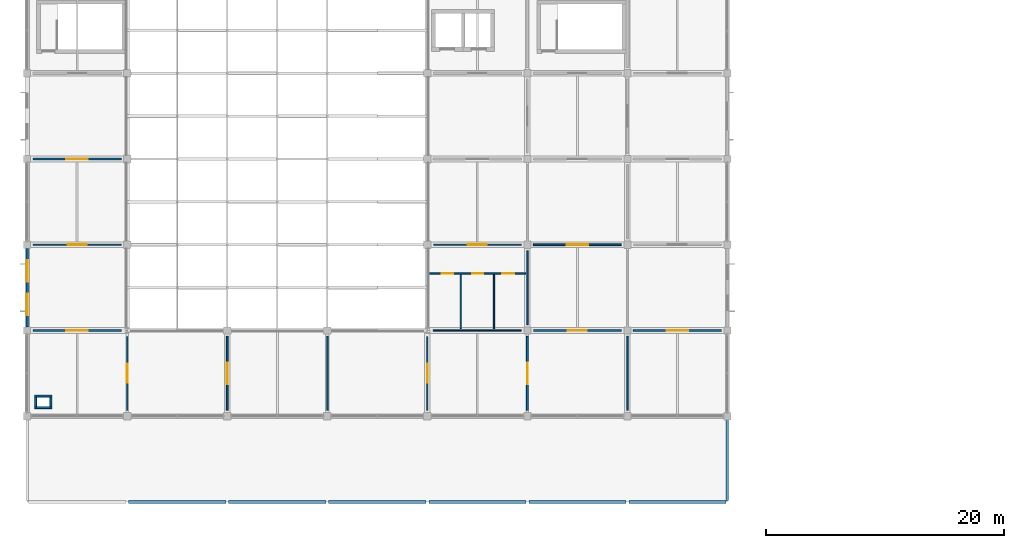
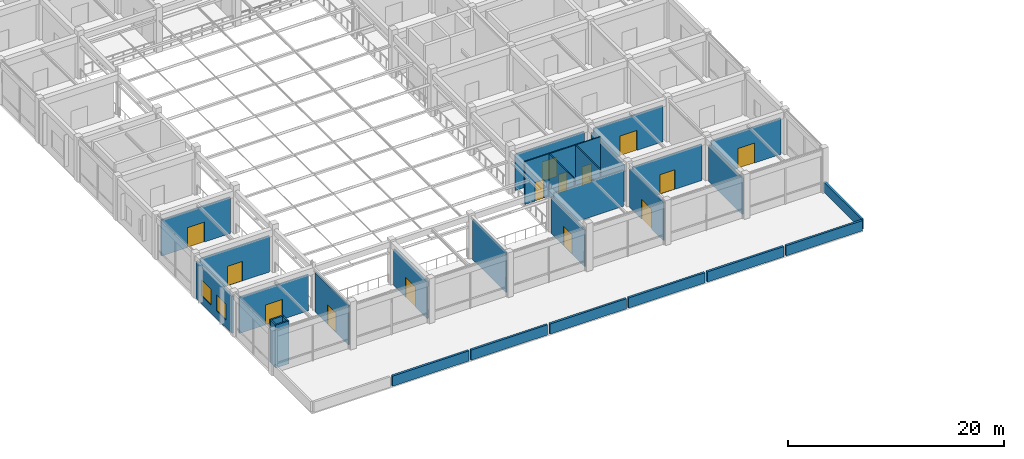
# One storey, part 23 of 38: 30 walls, 14 doors, 2 windows, 16 openings.
"""IFC4 building model written with IfcOpenShell, lengths in metres."""

import ifcopenshell
import ifcopenshell.guid

model = None  # the IFC model being written
_history = None  # IfcOwnerHistory: only IFC2X3 demands one
_inside = {}  # id of a spatial element -> (the spatial element, [elements in it])
_under = {}  # id of a project, library or spatial element -> (it, [spatial elements below it])
_declared = {}  # id of a project -> (the project, [libraries it declares])
_typed = {}  # id of a type object -> (the type object, [elements of that type])
_made_of = {}  # id of a material, layer set ... -> (it, [elements and type objects made of it])


def new_model(schema):
    """Start an empty IFC model of exactly this schema.

    Asked for "IFC4X3", IfcOpenShell would pick the latest addendum, in which some entities
    have other attributes; the version numbers below select the first issue.
    IFC2X3 requires an IfcOwnerHistory on every rooted entity: one is made here for all.
    """
    global model, _history
    if schema == "IFC4X3":
        model = ifcopenshell.file(schema_version=(4, 3, 0, 0))
    else:
        model = ifcopenshell.file(schema=schema)
    _inside.clear()
    _under.clear()
    _declared.clear()
    _typed.clear()
    _made_of.clear()
    _history = None
    if model.schema == "IFC2X3":
        org = make("IfcOrganization", Name="unknown")
        user = make(
            "IfcPersonAndOrganization",
            ThePerson=make("IfcPerson", FamilyName="unknown"),
            TheOrganization=org,
        )
        app = make(
            "IfcApplication",
            ApplicationDeveloper=org,
            Version="unknown",
            ApplicationFullName="unknown",
            ApplicationIdentifier="unknown",
        )
        _history = make(
            "IfcOwnerHistory",
            OwningUser=user,
            OwningApplication=app,
            ChangeAction="ADDED",
            CreationDate=0,
        )
    return model


def make(cls, **values):
    """One entity of the class cls with the attributes given. An attribute that is None is left unset."""
    return model.create_entity(
        cls, **{name: value for name, value in values.items() if value is not None}
    )


def rooted(cls, **values):
    """An entity with a GlobalId (a new one), such as an element, a storey or a relation."""
    return make(cls, GlobalId=ifcopenshell.guid.new(), OwnerHistory=_history, **values)


def si_unit(unit_type, name, prefix=None):
    """IfcSIUnit, for example si_unit("LENGTHUNIT", "METRE", prefix="MILLI")."""
    return make("IfcSIUnit", UnitType=unit_type, Prefix=prefix, Name=name)


def derived_unit(unit_type, elements):
    """IfcDerivedUnit: a product of units, each with its exponent."""
    return make(
        "IfcDerivedUnit",
        Elements=[
            make("IfcDerivedUnitElement", Unit=unit, Exponent=power)
            for unit, power in elements
        ],
        UnitType=unit_type,
    )


def assignment(units):
    """IfcUnitAssignment: the units of a project."""
    return None if units is None else make("IfcUnitAssignment", Units=units)


def point(xyz):
    """IfcCartesianPoint."""
    return None if xyz is None else make("IfcCartesianPoint", Coordinates=xyz)


def direction(xyz):
    """IfcDirection."""
    return None if xyz is None else make("IfcDirection", DirectionRatios=xyz)


def frame(location, z_axis=None, x_axis=None):
    """IfcAxis2Placement3D, a coordinate frame: its origin and axes. An axis left out is left unset."""
    return make(
        "IfcAxis2Placement3D",
        Location=point(location),
        Axis=direction(z_axis),
        RefDirection=direction(x_axis),
    )


def frame_2d(location, x_axis=None):
    """IfcAxis2Placement2D, a coordinate frame in the plane: its origin and x axis."""
    return make(
        "IfcAxis2Placement2D", Location=point(location), RefDirection=direction(x_axis)
    )


def origin():
    """The frame at (0, 0, 0) with its axes left unset."""
    return frame((0.0, 0.0, 0.0))


def place(relative_to, where):
    """IfcLocalPlacement: puts the frame where relative to a parent placement (None: the world)."""
    return make(
        "IfcLocalPlacement", PlacementRelTo=relative_to, RelativePlacement=where
    )


def context(
    kind, dimensions, precision=None, world=None, true_north=None, identifier=None
):
    """IfcGeometricRepresentationContext, for example the 3D "Model" context."""
    return make(
        "IfcGeometricRepresentationContext",
        ContextIdentifier=identifier,
        ContextType=kind,
        CoordinateSpaceDimension=dimensions,
        Precision=precision,
        WorldCoordinateSystem=world,
        TrueNorth=true_north,
    )


def subcontext(parent, identifier, kind, view, scale=None):
    """IfcGeometricRepresentationSubContext, for example "Body" below "Model"."""
    return make(
        "IfcGeometricRepresentationSubContext",
        ContextIdentifier=identifier,
        ContextType=kind,
        ParentContext=parent,
        TargetScale=scale,
        TargetView=view,
    )


def project(units=None, contexts=None):
    """IfcProject with its units and contexts."""
    return rooted(
        "IfcProject",
        Name="project",
        RepresentationContexts=contexts,
        UnitsInContext=assignment(units),
    )


def spatial(cls, under=None, at=None, **own):
    """A site, building, storey or space (cls), placed at a placement, below another one or the project."""
    s = rooted(cls, ObjectPlacement=at, **own)
    if under is not None:
        _under.setdefault(under.id(), (under, []))[1].append(s)
    return s


def profile(cls, at=None, kind="AREA", **sizes):
    """A parametric profile (cls). Its sizes go by their IFC names, for example OverallWidth=200.0."""
    return make(cls, ProfileType=kind, Position=at, **sizes)


def rectangle(**sizes):
    """IfcRectangleProfileDef."""
    return profile("IfcRectangleProfileDef", **sizes)


def extrude(swept, where, along, depth):
    """IfcExtrudedAreaSolid: the profile swept, set in the frame where, extruded along a direction by depth."""
    return make(
        "IfcExtrudedAreaSolid",
        SweptArea=swept,
        Position=where,
        ExtrudedDirection=direction(along),
        Depth=depth,
    )


def shape(context_of_items, identifier, shape_type, items):
    """IfcShapeRepresentation: the items that make up one representation, for example the "Body"."""
    return make(
        "IfcShapeRepresentation",
        ContextOfItems=context_of_items,
        RepresentationIdentifier=identifier,
        RepresentationType=shape_type,
        Items=items,
    )


def material(Name=None, Category=None):
    """IfcMaterial."""
    return make("IfcMaterial", Name=Name, Category=Category)


def layer(
    of_material, thickness, ventilated=None, Name=None, Category=None, Priority=None
):
    """IfcMaterialLayer: one layer of a wall or slab, of a material (None: an air gap)."""
    return make(
        "IfcMaterialLayer",
        Material=of_material,
        LayerThickness=thickness,
        IsVentilated=ventilated,
        Name=Name,
        Category=Category,
        Priority=Priority,
    )


def layer_set(layers, Name=None):
    """IfcMaterialLayerSet."""
    return make("IfcMaterialLayerSet", MaterialLayers=layers, LayerSetName=Name)


def made_of(thing, what):
    """Note that an element or type object is made of a material, layer set ...; save() writes the relation."""
    if what is not None:
        _made_of.setdefault(what.id(), (what, []))[1].append(thing)
    return thing


def type_object(cls, material=None, **own):
    """A type object (cls), such as IfcWallType, which elements share."""
    return made_of(rooted(cls, **own), material)


def element(
    cls,
    number,
    at=None,
    inside=None,
    cuts=None,
    type_object=None,
    material=None,
    context=None,
    identifier="Body",
    shape_type=None,
    held_by="IfcProductDefinitionShape",
    body=None,
    shapes=None,
    **own,
):
    """One element of the class cls, such as IfcWall. Its Tag is "e" and its number.

    at: its placement. inside: the storey or other place that contains it. cuts: it is an
    opening in that element (IfcRelVoidsElement). A single representation is given by context,
    identifier, shape_type and body (its items); several are given by shapes. held_by: the class
    of the entity that holds the representations. save() writes the other relations.
    """
    e = rooted(cls, Tag="e%d" % number, ObjectPlacement=at, **own)
    if body is not None:
        shapes = [shape(context, identifier, shape_type, body)]
    if shapes is not None:
        e.Representation = make(held_by, Representations=shapes)
    if inside is not None:
        _inside.setdefault(inside.id(), (inside, []))[1].append(e)
    if cuts is not None:
        rooted(
            "IfcRelVoidsElement", RelatingBuildingElement=cuts, RelatedOpeningElement=e
        )
    if type_object is not None:
        _typed.setdefault(type_object.id(), (type_object, []))[1].append(e)
    return made_of(e, material)


def fill(opening, filler):
    """IfcRelFillsElement: the door or window that sits in an opening."""
    return rooted(
        "IfcRelFillsElement",
        RelatingOpeningElement=opening,
        RelatedBuildingElement=filler,
    )


def aggregate(whole, parts):
    """IfcRelAggregates: a whole, such as a stair, and the parts it consists of."""
    return rooted("IfcRelAggregates", RelatingObject=whole, RelatedObjects=parts)


def save(model, path):
    """Write the relations noted so far, then the file.

    IfcRelAggregates (storeys below a building ...), IfcRelContainedInSpatialStructure (elements
    in a storey), IfcRelDefinesByType, IfcRelAssociatesMaterial and IfcRelDeclares: one each for
    every whole, place, type object, material and project.
    """
    for whole, parts in _under.values():
        aggregate(whole, parts)
    for where, things in _inside.values():
        rooted(
            "IfcRelContainedInSpatialStructure",
            RelatedElements=things,
            RelatingStructure=where,
        )
    for kind, things in _typed.values():
        rooted("IfcRelDefinesByType", RelatedObjects=things, RelatingType=kind)
    for what, things in _made_of.values():
        rooted("IfcRelAssociatesMaterial", RelatedObjects=things, RelatingMaterial=what)
    for by, libraries in _declared.values():
        rooted("IfcRelDeclares", RelatingContext=by, RelatedDefinitions=libraries)
    model.write(path)


model = new_model("IFC4")

# Units and contexts
model_context = context("Model", 3, precision=1e-05, world=origin(), true_north=direction((0.0, 1.0)))
body_context = subcontext(model_context, "Body", "Model", "MODEL_VIEW")
ifc_project = project(units=[si_unit("LENGTHUNIT", "METRE"), si_unit("AREAUNIT", "SQUARE_METRE"), si_unit("VOLUMEUNIT", "CUBIC_METRE"), si_unit("PLANEANGLEUNIT", "RADIAN"), si_unit("MASSUNIT", "GRAM", prefix="KILO"), derived_unit("THERMALTRANSMITTANCEUNIT", [(si_unit("MASSUNIT", "GRAM", prefix="KILO"), 1), (si_unit("TIMEUNIT", "SECOND"), -3), (si_unit("THERMODYNAMICTEMPERATUREUNIT", "KELVIN"), -1)])], contexts=[model_context])

# Site, building, storey
site_placement = place(None, origin())
site = spatial("IfcSite", under=ifc_project, at=site_placement, CompositionType="ELEMENT")
building_placement = place(site_placement, origin())
building = spatial("IfcBuilding", under=site, at=building_placement, Name="Veldstrom Oceanarium and Marine Research Institute", CompositionType="ELEMENT")
storey_placement = place(building_placement, frame((0.0, 0.0, 16.800048828125)))
storey = spatial("IfcBuildingStorey", under=building, at=storey_placement, Name="L03", CompositionType="ELEMENT", Elevation=16.800048828125)

# Wall, openings, windows
ifc_material_1 = material(Name="Masonry Cavity Wall", Category="masonry")
ifc_layer_1 = layer(ifc_material_1, 0.215087890625)
ifc_layer_set_1 = layer_set([ifc_layer_1], Name="ARC-WAL-EW6")
wall_type_1 = type_object("IfcWallType", Name="ARC-WAL-EW6", PredefinedType="SOLIDWALL", material=ifc_layer_set_1)
wall_1_placement = place(storey_placement, frame((8.39990234375, 14.699951171875, 0.0), z_axis=(0.0, 0.0, 1.0), x_axis=(0.0, 1.0, 0.0)))
wall_1 = element("IfcWall", 1, at=wall_1_placement, inside=storey, type_object=wall_type_1, Name="Exterior Facade Wall EW6 L03-149", PredefinedType="SOLIDWALL", context=body_context, shape_type="SweptSolid", body=[
    extrude(rectangle(XDim=6.60009765625, YDim=0.215087890625, at=frame_2d((3.300048828125, 0.0))), origin(), (0.0, 0.0, 1.0), 4.169921875),
])
opening_1_placement = place(wall_1_placement, frame((1.0, 0.0, 0.89990234375)))
opening_1 = element("IfcOpeningElement", 2, at=opening_1_placement, cuts=wall_1, Name="Opening W03", PredefinedType="OPENING", context=body_context, shape_type="SweptSolid", body=[
    extrude(rectangle(XDim=1.800048828125, YDim=1.800048828125, at=frame_2d((0.89990234375, 0.89990234375))), frame((0.0, 0.117431640625, 0.0), z_axis=(0.0, -1.0, 0.0), x_axis=(1.0, 0.0, 0.0)), (0.0, 0.0, 1.0), 0.235107421875),
])
opening_2_placement = place(wall_1_placement, frame((3.800048828125, 0.0, 0.89990234375)))
opening_2 = element("IfcOpeningElement", 3, at=opening_2_placement, cuts=wall_1, Name="Opening W03", PredefinedType="OPENING", context=body_context, shape_type="SweptSolid", body=[
    extrude(rectangle(XDim=1.800048828125, YDim=1.800048828125, at=frame_2d((0.89990234375, 0.89990234375))), frame((0.0, 0.117431640625, 0.0), z_axis=(0.0, -1.0, 0.0), x_axis=(1.0, 0.0, 0.0)), (0.0, 0.0, 1.0), 0.235107421875),
])
ifc_material_2 = material(Name="Double Glazed Low-E IGU", Category="glass")
window_type = type_object("IfcWindowType", Name="ARC-WIN-W03", PartitioningType="SINGLE_PANEL", PredefinedType="WINDOW", material=ifc_material_2)
window_1_placement = place(opening_1_placement, origin())
window_1 = element("IfcWindow", 4, at=window_1_placement, inside=storey, type_object=window_type, Name="Facade Window W03 L03-0109", OverallHeight=1.800048828125, OverallWidth=1.800048828125, PartitioningType="SINGLE_PANEL", PredefinedType="WINDOW", context=body_context, shape_type="SweptSolid", body=[
    extrude(rectangle(XDim=1.800048828125, YDim=1.800048828125, at=frame_2d((0.89990234375, 0.89990234375))), frame((0.0, 0.030029296875, 0.0), z_axis=(0.0, -1.0, 0.0), x_axis=(1.0, 0.0, 0.0)), (0.0, 0.0, 1.0), 0.06005859375),
])
fill(opening_1, window_1)
window_2_placement = place(opening_2_placement, origin())
window_2 = element("IfcWindow", 5, at=window_2_placement, inside=storey, type_object=window_type, Name="Facade Window W03 L03-0110", OverallHeight=1.800048828125, OverallWidth=1.800048828125, PartitioningType="SINGLE_PANEL", PredefinedType="WINDOW", context=body_context, shape_type="SweptSolid", body=[
    extrude(rectangle(XDim=1.800048828125, YDim=1.800048828125, at=frame_2d((0.89990234375, 0.89990234375))), frame((0.0, 0.030029296875, 0.0), z_axis=(0.0, -1.0, 0.0), x_axis=(1.0, 0.0, 0.0)), (0.0, 0.0, 1.0), 0.06005859375),
])
fill(opening_2, window_2)

# Walls
ifc_material_3 = material(Name="Masonry Cavity Wall", Category="masonry")
ifc_layer_2 = layer(ifc_material_3, 0.219970703125)
ifc_layer_set_2 = layer_set([ifc_layer_2], Name="ARC-WAL-PR1")
wall_type_2 = type_object("IfcWallType", Name="ARC-WAL-PR1", PredefinedType="PARAPET", material=ifc_layer_set_2)
wall_2_placement = place(storey_placement, frame((16.919921875, 0.0, 0.0), z_axis=(0.0, 0.0, 1.0), x_axis=(1.0, 0.0, 0.0)))
element("IfcWall", 6, at=wall_2_placement, inside=storey, type_object=wall_type_2, Name="Roof Parapet Wall L02-049", PredefinedType="PARAPET", context=body_context, shape_type="SweptSolid", body=[
    extrude(rectangle(XDim=8.16015625, YDim=0.219970703125, at=frame_2d((4.080078125, 0.0))), origin(), (0.0, 0.0, 1.0), 1.14990234375),
])
for number, where, z_axis, x_axis, name in (
    (7, (25.320068359375, 0.0, 0.0), (0.0, 0.0, 1.0), (1.0, 0.0, 0.0), "Roof Parapet Wall L02-050"),
    (8, (33.719970703125, 0.0, 0.0), (0.0, 0.0, 1.0), (1.0, 0.0, 0.0), "Roof Parapet Wall L02-051"),
    (9, (42.1201171875, 0.0, 0.0), (0.0, 0.0, 1.0), (1.0, 0.0, 0.0), "Roof Parapet Wall L02-052"),
    (10, (50.52001953125, 0.0, 0.0), (0.0, 0.0, 1.0), (1.0, 0.0, 0.0), "Roof Parapet Wall L02-053"),
):
    element("IfcWall", number, at=place(storey_placement, frame(where, z_axis=z_axis, x_axis=x_axis)), inside=storey, type_object=wall_type_2, Name=name, PredefinedType="PARAPET", context=body_context, shape_type="SweptSolid", body=[
        extrude(rectangle(XDim=8.159912109375, YDim=0.219970703125, at=frame_2d((4.080078125, 0.0))), origin(), (0.0, 0.0, 1.0), 1.14990234375),
    ])
wall_3_placement = place(storey_placement, frame((58.919921875, 0.0, 0.0), z_axis=(0.0, 0.0, 1.0), x_axis=(1.0, 0.0, 0.0)))
element("IfcWall", 11, at=wall_3_placement, inside=storey, type_object=wall_type_2, Name="Roof Parapet Wall L02-054", PredefinedType="PARAPET", context=body_context, shape_type="SweptSolid", body=[
    extrude(rectangle(XDim=8.16015625, YDim=0.219970703125, at=frame_2d((4.080078125, 0.0))), origin(), (0.0, 0.0, 1.0), 1.14990234375),
])
wall_4_placement = place(storey_placement, frame((67.199951171875, 0.1201171875, 0.0), z_axis=(0.0, 0.0, 1.0), x_axis=(0.0, 1.0, 0.0)))
element("IfcWall", 12, at=wall_4_placement, inside=storey, type_object=wall_type_2, Name="Roof Parapet Wall L02-055", PredefinedType="PARAPET", context=body_context, shape_type="SweptSolid", body=[
    extrude(rectangle(XDim=6.9599609375, YDim=0.219970703125, at=frame_2d((3.47998046875, 0.0))), origin(), (0.0, 0.0, 1.0), 1.14990234375),
])

# Wall, opening, door
ifc_material_4 = material(Name="Drywall Corridor Partition", Category="gypsum")
ifc_layer_3 = layer(ifc_material_4, 0.155029296875)
ifc_layer_set_3 = layer_set([ifc_layer_3], Name="ARC-WAL-PT4")
wall_type_3 = type_object("IfcWallType", Name="ARC-WAL-PT4", PredefinedType="PARTITIONING", material=ifc_layer_set_3)
wall_5_placement = place(storey_placement, frame((16.800048828125, 7.699951171875, 0.0), z_axis=(0.0, 0.0, 1.0), x_axis=(0.0, 1.0, 0.0)))
wall_5 = element("IfcWall", 13, at=wall_5_placement, inside=storey, type_object=wall_type_3, Name="Interior Partition PT4 L03-1255", PredefinedType="PARTITIONING", context=body_context, shape_type="SweptSolid", body=[
    extrude(rectangle(XDim=6.199951171875, YDim=0.155029296875, at=frame_2d((3.10009765625, 0.0))), origin(), (0.0, 0.0, 1.0), 4.419921875),
])
opening_3_placement = place(wall_5_placement, frame((2.300048828125, 0.0, 0.0)))
opening_3 = element("IfcOpeningElement", 14, at=opening_3_placement, cuts=wall_5, Name="Opening D-L03-735", PredefinedType="OPENING", context=body_context, shape_type="SweptSolid", body=[
    extrude(rectangle(XDim=1.60009765625, YDim=2.199951171875, at=frame_2d((0.800048828125, 1.10009765625))), frame((0.0, 0.08740234375, 0.0), z_axis=(0.0, -1.0, 0.0), x_axis=(1.0, 0.0, 0.0)), (0.0, 0.0, 1.0), 0.175048828125),
])
ifc_material_5 = material(Name="Acoustic Timber Corridor Door", Category="wood")
door_type_1 = type_object("IfcDoorType", Name="ARC-DOR-ID02", OperationType="DOUBLE_DOOR_SINGLE_SWING", PredefinedType="DOOR", material=ifc_material_5)
door_1_placement = place(opening_3_placement, origin())
door_1 = element("IfcDoor", 15, at=door_1_placement, inside=storey, type_object=door_type_1, Name="Interior Door D-L03-735", OperationType="DOUBLE_DOOR_SINGLE_SWING", OverallHeight=2.199951171875, OverallWidth=1.60009765625, PredefinedType="DOOR", context=body_context, shape_type="SweptSolid", body=[
    extrude(rectangle(XDim=1.60009765625, YDim=2.199951171875, at=frame_2d((0.800048828125, 1.10009765625))), frame((0.0, 0.02490234375, 0.0), z_axis=(0.0, -1.0, 0.0), x_axis=(1.0, 0.0, 0.0)), (0.0, 0.0, 1.0), 0.050048828125),
])
fill(opening_3, door_1)

wall_6_placement = place(storey_placement, frame((8.89990234375, 14.39990234375, 0.0), z_axis=(0.0, 0.0, 1.0), x_axis=(1.0, 0.0, 0.0)))
wall_6 = element("IfcWall", 16, at=wall_6_placement, inside=storey, type_object=wall_type_3, Name="Interior Partition PT4 L03-1256", PredefinedType="PARTITIONING", context=body_context, shape_type="SweptSolid", body=[
    extrude(rectangle(XDim=7.400146484375, YDim=0.155029296875, at=frame_2d((3.7001953125, 0.0))), origin(), (0.0, 0.0, 1.0), 4.070068359375),
])
opening_4_placement = place(wall_6_placement, frame((2.800048828125, 0.0, 0.0)))
opening_4 = element("IfcOpeningElement", 17, at=opening_4_placement, cuts=wall_6, Name="Opening D-L03-736", PredefinedType="OPENING", context=body_context, shape_type="SweptSolid", body=[
    extrude(rectangle(XDim=1.800048828125, YDim=2.25, at=frame_2d((0.89990234375, 1.125))), frame((0.0, 0.08740234375, 0.0), z_axis=(0.0, -1.0, 0.0), x_axis=(1.0, 0.0, 0.0)), (0.0, 0.0, 1.0), 0.175048828125),
])
ifc_material_6 = material(Name="Acoustic Timber Gallery Door", Category="wood")
door_type_2 = type_object("IfcDoorType", Name="ARC-DOR-ID01", OperationType="DOUBLE_DOOR_SINGLE_SWING", PredefinedType="DOOR", material=ifc_material_6)
door_2_placement = place(opening_4_placement, frame((1.800048828125, 0.0, 0.0), z_axis=(0.0, 0.0, 1.0), x_axis=(-1.0, 0.0, 0.0)))
door_2 = element("IfcDoor", 18, at=door_2_placement, inside=storey, type_object=door_type_2, Name="Interior Door D-L03-736", OperationType="DOUBLE_DOOR_SINGLE_SWING", OverallHeight=2.25, OverallWidth=1.800048828125, PredefinedType="DOOR", context=body_context, shape_type="SweptSolid", body=[
    extrude(rectangle(XDim=1.800048828125, YDim=2.25, at=frame_2d((0.89990234375, 1.125))), frame((0.0, 0.02490234375, 0.0), z_axis=(0.0, -1.0, 0.0), x_axis=(1.0, 0.0, 0.0)), (0.0, 0.0, 1.0), 0.050048828125),
])
fill(opening_4, door_2)

wall_7_placement = place(storey_placement, frame((8.89990234375, 28.800048828125, 0.0), z_axis=(0.0, 0.0, 1.0), x_axis=(1.0, 0.0, 0.0)))
wall_7 = element("IfcWall", 19, at=wall_7_placement, inside=storey, type_object=wall_type_3, Name="Interior Partition PT4 L03-1258", PredefinedType="PARTITIONING", context=body_context, shape_type="SweptSolid", body=[
    extrude(rectangle(XDim=7.400146484375, YDim=0.155029296875, at=frame_2d((3.7001953125, 0.0))), origin(), (0.0, 0.0, 1.0), 4.070068359375),
])
opening_5_placement = place(wall_7_placement, frame((2.800048828125, 0.0, 0.0)))
opening_5 = element("IfcOpeningElement", 20, at=opening_5_placement, cuts=wall_7, Name="Opening D-L03-738", PredefinedType="OPENING", context=body_context, shape_type="SweptSolid", body=[
    extrude(rectangle(XDim=1.800048828125, YDim=2.25, at=frame_2d((0.89990234375, 1.125))), frame((0.0, 0.08740234375, 0.0), z_axis=(0.0, -1.0, 0.0), x_axis=(1.0, 0.0, 0.0)), (0.0, 0.0, 1.0), 0.175048828125),
])
door_3_placement = place(opening_5_placement, frame((1.800048828125, 0.0, 0.0), z_axis=(0.0, 0.0, 1.0), x_axis=(-1.0, 0.0, 0.0)))
door_3 = element("IfcDoor", 21, at=door_3_placement, inside=storey, type_object=door_type_2, Name="Interior Door D-L03-738", OperationType="DOUBLE_DOOR_SINGLE_SWING", OverallHeight=2.25, OverallWidth=1.800048828125, PredefinedType="DOOR", context=body_context, shape_type="SweptSolid", body=[
    extrude(rectangle(XDim=1.800048828125, YDim=2.25, at=frame_2d((0.89990234375, 1.125))), frame((0.0, 0.02490234375, 0.0), z_axis=(0.0, -1.0, 0.0), x_axis=(1.0, 0.0, 0.0)), (0.0, 0.0, 1.0), 0.050048828125),
])
fill(opening_5, door_3)

wall_8_placement = place(storey_placement, frame((50.39990234375, 7.699951171875, 0.0), z_axis=(0.0, 0.0, 1.0), x_axis=(0.0, 1.0, 0.0)))
wall_8 = element("IfcWall", 22, at=wall_8_placement, inside=storey, type_object=wall_type_3, Name="Interior Partition PT4 L03-1278", PredefinedType="PARTITIONING", context=body_context, shape_type="SweptSolid", body=[
    extrude(rectangle(XDim=6.199951171875, YDim=0.155029296875, at=frame_2d((3.10009765625, 0.0))), origin(), (0.0, 0.0, 1.0), 4.320068359375),
])
opening_6_placement = place(wall_8_placement, frame((2.199951171875, 0.0, 0.0)))
opening_6 = element("IfcOpeningElement", 23, at=opening_6_placement, cuts=wall_8, Name="Opening D-L03-752", PredefinedType="OPENING", context=body_context, shape_type="SweptSolid", body=[
    extrude(rectangle(XDim=1.800048828125, YDim=2.25, at=frame_2d((0.89990234375, 1.125))), frame((0.0, 0.08740234375, 0.0), z_axis=(0.0, -1.0, 0.0), x_axis=(1.0, 0.0, 0.0)), (0.0, 0.0, 1.0), 0.175048828125),
])
door_4_placement = place(opening_6_placement, origin())
door_4 = element("IfcDoor", 24, at=door_4_placement, inside=storey, type_object=door_type_2, Name="Interior Door D-L03-752", OperationType="DOUBLE_DOOR_SINGLE_SWING", OverallHeight=2.25, OverallWidth=1.800048828125, PredefinedType="DOOR", context=body_context, shape_type="SweptSolid", body=[
    extrude(rectangle(XDim=1.800048828125, YDim=2.25, at=frame_2d((0.89990234375, 1.125))), frame((0.0, 0.02490234375, 0.0), z_axis=(0.0, -1.0, 0.0), x_axis=(1.0, 0.0, 0.0)), (0.0, 0.0, 1.0), 0.050048828125),
])
fill(opening_6, door_4)

wall_9_placement = place(storey_placement, frame((50.89990234375, 21.60009765625, 0.0), z_axis=(0.0, 0.0, 1.0), x_axis=(1.0, 0.0, 0.0)))
wall_9 = element("IfcWall", 25, at=wall_9_placement, inside=storey, type_object=wall_type_3, Name="Interior Partition PT4 L03-1298", PredefinedType="PARTITIONING", context=body_context, shape_type="SweptSolid", body=[
    extrude(rectangle(XDim=7.400146484375, YDim=0.155029296875, at=frame_2d((3.7001953125, 0.0))), origin(), (0.0, 0.0, 1.0), 4.070068359375),
])
opening_7_placement = place(wall_9_placement, frame((2.800048828125, 0.0, 0.0)))
opening_7 = element("IfcOpeningElement", 26, at=opening_7_placement, cuts=wall_9, Name="Opening D-L03-762", PredefinedType="OPENING", context=body_context, shape_type="SweptSolid", body=[
    extrude(rectangle(XDim=1.800048828125, YDim=2.25, at=frame_2d((0.89990234375, 1.125))), frame((0.0, 0.08740234375, 0.0), z_axis=(0.0, -1.0, 0.0), x_axis=(1.0, 0.0, 0.0)), (0.0, 0.0, 1.0), 0.175048828125),
])
door_5_placement = place(opening_7_placement, frame((1.800048828125, 0.0, 0.0), z_axis=(0.0, 0.0, 1.0), x_axis=(-1.0, 0.0, 0.0)))
door_5 = element("IfcDoor", 27, at=door_5_placement, inside=storey, type_object=door_type_2, Name="Interior Door D-L03-762", OperationType="DOUBLE_DOOR_SINGLE_SWING", OverallHeight=2.25, OverallWidth=1.800048828125, PredefinedType="DOOR", context=body_context, shape_type="SweptSolid", body=[
    extrude(rectangle(XDim=1.800048828125, YDim=2.25, at=frame_2d((0.89990234375, 1.125))), frame((0.0, 0.02490234375, 0.0), z_axis=(0.0, -1.0, 0.0), x_axis=(1.0, 0.0, 0.0)), (0.0, 0.0, 1.0), 0.050048828125),
])
fill(opening_7, door_5)

wall_10_placement = place(storey_placement, frame((59.300048828125, 14.39990234375, 0.0), z_axis=(0.0, 0.0, 1.0), x_axis=(1.0, 0.0, 0.0)))
wall_10 = element("IfcWall", 28, at=wall_10_placement, inside=storey, type_object=wall_type_3, Name="Interior Partition PT4 L03-1312", PredefinedType="PARTITIONING", context=body_context, shape_type="SweptSolid", body=[
    extrude(rectangle(XDim=7.39990234375, YDim=0.155029296875, at=frame_2d((3.699951171875, 0.0))), origin(), (0.0, 0.0, 1.0), 4.070068359375),
])
opening_8_placement = place(wall_10_placement, frame((2.800048828125, 0.0, 0.0)))
opening_8 = element("IfcOpeningElement", 29, at=opening_8_placement, cuts=wall_10, Name="Opening D-L03-770", PredefinedType="OPENING", context=body_context, shape_type="SweptSolid", body=[
    extrude(rectangle(XDim=1.800048828125, YDim=2.25, at=frame_2d((0.89990234375, 1.125))), frame((0.0, 0.08740234375, 0.0), z_axis=(0.0, -1.0, 0.0), x_axis=(1.0, 0.0, 0.0)), (0.0, 0.0, 1.0), 0.175048828125),
])
door_6_placement = place(opening_8_placement, frame((1.800048828125, 0.0, 0.0), z_axis=(0.0, 0.0, 1.0), x_axis=(-1.0, 0.0, 0.0)))
door_6 = element("IfcDoor", 30, at=door_6_placement, inside=storey, type_object=door_type_2, Name="Interior Door D-L03-770", OperationType="DOUBLE_DOOR_SINGLE_SWING", OverallHeight=2.25, OverallWidth=1.800048828125, PredefinedType="DOOR", context=body_context, shape_type="SweptSolid", body=[
    extrude(rectangle(XDim=1.800048828125, YDim=2.25, at=frame_2d((0.89990234375, 1.125))), frame((0.0, 0.02490234375, 0.0), z_axis=(0.0, -1.0, 0.0), x_axis=(1.0, 0.0, 0.0)), (0.0, 0.0, 1.0), 0.050048828125),
])
fill(opening_8, door_6)

ifc_material_7 = material(Name="Moisture-Resistant Wet-Area Partition", Category="masonry")
ifc_layer_4 = layer(ifc_material_7, 0.139892578125)
ifc_layer_set_4 = layer_set([ifc_layer_4], Name="ARC-WAL-PT5")
wall_type_4 = type_object("IfcWallType", Name="ARC-WAL-PT5", PredefinedType="PARTITIONING", material=ifc_layer_set_4)
wall_11_placement = place(storey_placement, frame((8.89990234375, 21.60009765625, 0.0), z_axis=(0.0, 0.0, 1.0), x_axis=(1.0, 0.0, 0.0)))
wall_11 = element("IfcWall", 31, at=wall_11_placement, inside=storey, type_object=wall_type_4, Name="Interior Partition PT5 L03-1257", PredefinedType="PARTITIONING", context=body_context, shape_type="SweptSolid", body=[
    extrude(rectangle(XDim=7.400146484375, YDim=0.139892578125, at=frame_2d((3.7001953125, 0.0))), origin(), (0.0, 0.0, 1.0), 4.070068359375),
])
opening_9_placement = place(wall_11_placement, frame((2.89990234375, 0.0, 0.0)))
opening_9 = element("IfcOpeningElement", 32, at=opening_9_placement, cuts=wall_11, Name="Opening D-L03-737", PredefinedType="OPENING", context=body_context, shape_type="SweptSolid", body=[
    extrude(rectangle(XDim=1.60009765625, YDim=2.199951171875, at=frame_2d((0.800048828125, 1.10009765625))), frame((0.0, 0.079833984375, 0.0), z_axis=(0.0, -1.0, 0.0), x_axis=(1.0, 0.0, 0.0)), (0.0, 0.0, 1.0), 0.159912109375),
])
door_7_placement = place(opening_9_placement, origin())
door_7 = element("IfcDoor", 33, at=door_7_placement, inside=storey, type_object=door_type_1, Name="Interior Door D-L03-737", OperationType="DOUBLE_DOOR_SINGLE_SWING", OverallHeight=2.199951171875, OverallWidth=1.60009765625, PredefinedType="DOOR", context=body_context, shape_type="SweptSolid", body=[
    extrude(rectangle(XDim=1.60009765625, YDim=2.199951171875, at=frame_2d((0.800048828125, 1.10009765625))), frame((0.0, 0.02490234375, 0.0), z_axis=(0.0, -1.0, 0.0), x_axis=(1.0, 0.0, 0.0)), (0.0, 0.0, 1.0), 0.050048828125),
])
fill(opening_9, door_7)

wall_12_placement = place(storey_placement, frame((25.199951171875, 7.699951171875, 0.0), z_axis=(0.0, 0.0, 1.0), x_axis=(0.0, 1.0, 0.0)))
wall_12 = element("IfcWall", 34, at=wall_12_placement, inside=storey, type_object=wall_type_4, Name="Interior Partition PT5 L03-1266", PredefinedType="PARTITIONING", context=body_context, shape_type="SweptSolid", body=[
    extrude(rectangle(XDim=6.199951171875, YDim=0.139892578125, at=frame_2d((3.10009765625, 0.0))), origin(), (0.0, 0.0, 1.0), 4.119873046875),
])
opening_10_placement = place(wall_12_placement, frame((2.199951171875, 0.0, 0.0)))
opening_10 = element("IfcOpeningElement", 35, at=opening_10_placement, cuts=wall_12, Name="Opening D-L03-744", PredefinedType="OPENING", context=body_context, shape_type="SweptSolid", body=[
    extrude(rectangle(XDim=1.800048828125, YDim=2.25, at=frame_2d((0.89990234375, 1.125))), frame((0.0, 0.079833984375, 0.0), z_axis=(0.0, -1.0, 0.0), x_axis=(1.0, 0.0, 0.0)), (0.0, 0.0, 1.0), 0.159912109375),
])
door_8_placement = place(opening_10_placement, frame((1.800048828125, 0.0, 0.0), z_axis=(0.0, 0.0, 1.0), x_axis=(-1.0, 0.0, 0.0)))
door_8 = element("IfcDoor", 36, at=door_8_placement, inside=storey, type_object=door_type_2, Name="Interior Door D-L03-744", OperationType="DOUBLE_DOOR_SINGLE_SWING", OverallHeight=2.25, OverallWidth=1.800048828125, PredefinedType="DOOR", context=body_context, shape_type="SweptSolid", body=[
    extrude(rectangle(XDim=1.800048828125, YDim=2.25, at=frame_2d((0.89990234375, 1.125))), frame((0.0, 0.02490234375, 0.0), z_axis=(0.0, -1.0, 0.0), x_axis=(1.0, 0.0, 0.0)), (0.0, 0.0, 1.0), 0.050048828125),
])
fill(opening_10, door_8)

wall_13_placement = place(storey_placement, frame((42.0, 7.699951171875, 0.0), z_axis=(0.0, 0.0, 1.0), x_axis=(0.0, 1.0, 0.0)))
wall_13 = element("IfcWall", 37, at=wall_13_placement, inside=storey, type_object=wall_type_4, Name="Interior Partition PT5 L03-1274", PredefinedType="PARTITIONING", context=body_context, shape_type="SweptSolid", body=[
    extrude(rectangle(XDim=6.199951171875, YDim=0.139892578125, at=frame_2d((3.10009765625, 0.0))), origin(), (0.0, 0.0, 1.0), 4.119873046875),
])
opening_11_placement = place(wall_13_placement, frame((2.300048828125, 0.0, 0.0)))
opening_11 = element("IfcOpeningElement", 38, at=opening_11_placement, cuts=wall_13, Name="Opening D-L03-749", PredefinedType="OPENING", context=body_context, shape_type="SweptSolid", body=[
    extrude(rectangle(XDim=1.60009765625, YDim=2.199951171875, at=frame_2d((0.800048828125, 1.10009765625))), frame((0.0, 0.079833984375, 0.0), z_axis=(0.0, -1.0, 0.0), x_axis=(1.0, 0.0, 0.0)), (0.0, 0.0, 1.0), 0.159912109375),
])
door_9_placement = place(opening_11_placement, frame((1.60009765625, 0.0, 0.0), z_axis=(0.0, 0.0, 1.0), x_axis=(-1.0, 0.0, 0.0)))
door_9 = element("IfcDoor", 39, at=door_9_placement, inside=storey, type_object=door_type_1, Name="Interior Door D-L03-749", OperationType="DOUBLE_DOOR_SINGLE_SWING", OverallHeight=2.199951171875, OverallWidth=1.60009765625, PredefinedType="DOOR", context=body_context, shape_type="SweptSolid", body=[
    extrude(rectangle(XDim=1.60009765625, YDim=2.199951171875, at=frame_2d((0.800048828125, 1.10009765625))), frame((0.0, 0.02490234375, 0.0), z_axis=(0.0, -1.0, 0.0), x_axis=(1.0, 0.0, 0.0)), (0.0, 0.0, 1.0), 0.050048828125),
])
fill(opening_11, door_9)

wall_14_placement = place(storey_placement, frame((42.5, 21.60009765625, 0.0), z_axis=(0.0, 0.0, 1.0), x_axis=(1.0, 0.0, 0.0)))
wall_14 = element("IfcWall", 40, at=wall_14_placement, inside=storey, type_object=wall_type_4, Name="Interior Partition PT5 L03-1281", PredefinedType="PARTITIONING", context=body_context, shape_type="SweptSolid", body=[
    extrude(rectangle(XDim=7.39990234375, YDim=0.139892578125, at=frame_2d((3.699951171875, 0.0))), origin(), (0.0, 0.0, 1.0), 4.070068359375),
])
opening_12_placement = place(wall_14_placement, frame((2.89990234375, 0.0, 0.0)))
opening_12 = element("IfcOpeningElement", 41, at=opening_12_placement, cuts=wall_14, Name="Opening D-L03-753", PredefinedType="OPENING", context=body_context, shape_type="SweptSolid", body=[
    extrude(rectangle(XDim=1.60009765625, YDim=2.199951171875, at=frame_2d((0.800048828125, 1.10009765625))), frame((0.0, 0.079833984375, 0.0), z_axis=(0.0, -1.0, 0.0), x_axis=(1.0, 0.0, 0.0)), (0.0, 0.0, 1.0), 0.159912109375),
])
door_10_placement = place(opening_12_placement, frame((1.60009765625, 0.0, 0.0), z_axis=(0.0, 0.0, 1.0), x_axis=(-1.0, 0.0, 0.0)))
door_10 = element("IfcDoor", 42, at=door_10_placement, inside=storey, type_object=door_type_1, Name="Interior Door D-L03-753", OperationType="DOUBLE_DOOR_SINGLE_SWING", OverallHeight=2.199951171875, OverallWidth=1.60009765625, PredefinedType="DOOR", context=body_context, shape_type="SweptSolid", body=[
    extrude(rectangle(XDim=1.60009765625, YDim=2.199951171875, at=frame_2d((0.800048828125, 1.10009765625))), frame((0.0, 0.02490234375, 0.0), z_axis=(0.0, -1.0, 0.0), x_axis=(1.0, 0.0, 0.0)), (0.0, 0.0, 1.0), 0.050048828125),
])
fill(opening_12, door_10)

wall_15_placement = place(storey_placement, frame((50.89990234375, 14.39990234375, 0.0), z_axis=(0.0, 0.0, 1.0), x_axis=(1.0, 0.0, 0.0)))
wall_15 = element("IfcWall", 43, at=wall_15_placement, inside=storey, type_object=wall_type_4, Name="Interior Partition PT5 L03-1296", PredefinedType="PARTITIONING", context=body_context, shape_type="SweptSolid", body=[
    extrude(rectangle(XDim=7.400146484375, YDim=0.139892578125, at=frame_2d((3.7001953125, 0.0))), origin(), (0.0, 0.0, 1.0), 4.070068359375),
])
opening_13_placement = place(wall_15_placement, frame((2.89990234375, 0.0, 0.0)))
opening_13 = element("IfcOpeningElement", 44, at=opening_13_placement, cuts=wall_15, Name="Opening D-L03-761", PredefinedType="OPENING", context=body_context, shape_type="SweptSolid", body=[
    extrude(rectangle(XDim=1.60009765625, YDim=2.199951171875, at=frame_2d((0.800048828125, 1.10009765625))), frame((0.0, 0.079833984375, 0.0), z_axis=(0.0, -1.0, 0.0), x_axis=(1.0, 0.0, 0.0)), (0.0, 0.0, 1.0), 0.159912109375),
])
door_11_placement = place(opening_13_placement, origin())
door_11 = element("IfcDoor", 45, at=door_11_placement, inside=storey, type_object=door_type_1, Name="Interior Door D-L03-761", OperationType="DOUBLE_DOOR_SINGLE_SWING", OverallHeight=2.199951171875, OverallWidth=1.60009765625, PredefinedType="DOOR", context=body_context, shape_type="SweptSolid", body=[
    extrude(rectangle(XDim=1.60009765625, YDim=2.199951171875, at=frame_2d((0.800048828125, 1.10009765625))), frame((0.0, 0.02490234375, 0.0), z_axis=(0.0, -1.0, 0.0), x_axis=(1.0, 0.0, 0.0)), (0.0, 0.0, 1.0), 0.050048828125),
])
fill(opening_13, door_11)

# Wall, openings, doors
ifc_material_8 = material(Name="Lightweight Studio Partition", Category="gypsum")
ifc_layer_5 = layer(ifc_material_8, 0.1201171875)
ifc_layer_set_5 = layer_set([ifc_layer_5], Name="ARC-WAL-PT6")
wall_type_5 = type_object("IfcWallType", Name="ARC-WAL-PT6", PredefinedType="PARTITIONING", material=ifc_layer_set_5)
wall_16_placement = place(storey_placement, frame((42.14990234375, 19.199951171875, 0.0), z_axis=(0.0, 0.0, 1.0), x_axis=(1.0, 0.0, 0.0)))
wall_16 = element("IfcWall", 46, at=wall_16_placement, inside=storey, type_object=wall_type_5, Name="Sanitary Vestibule Partition L03-5", PredefinedType="PARTITIONING", context=body_context, shape_type="SweptSolid", body=[
    extrude(rectangle(XDim=8.10009765625, YDim=0.1201171875, at=frame_2d((4.050048828125, 0.0))), origin(), (0.0, 0.0, 1.0), 4.824951171875),
])
opening_14_placement = place(wall_16_placement, frame((1.080078125, 0.0, 0.0)))
opening_14 = element("IfcOpeningElement", 47, at=opening_14_placement, cuts=wall_16, Name="Opening D-L03-WC732", PredefinedType="OPENING", context=body_context, shape_type="SweptSolid", body=[
    extrude(rectangle(XDim=0.949951171875, YDim=2.10009765625, at=frame_2d((0.47509765625, 1.050048828125))), frame((0.0, 0.070068359375, 0.0), z_axis=(0.0, -1.0, 0.0), x_axis=(1.0, 0.0, 0.0)), (0.0, 0.0, 1.0), 0.14013671875),
])
opening_15_placement = place(wall_16_placement, frame((3.6298828125, 0.0, 0.0)))
opening_15 = element("IfcOpeningElement", 48, at=opening_15_placement, cuts=wall_16, Name="Opening D-L03-WC733", PredefinedType="OPENING", context=body_context, shape_type="SweptSolid", body=[
    extrude(rectangle(XDim=0.89990234375, YDim=2.10009765625, at=frame_2d((0.449951171875, 1.050048828125))), frame((0.0, 0.070068359375, 0.0), z_axis=(0.0, -1.0, 0.0), x_axis=(1.0, 0.0, 0.0)), (0.0, 0.0, 1.0), 0.14013671875),
])
opening_16_placement = place(wall_16_placement, frame((6.1298828125, 0.0, 0.0)))
opening_16 = element("IfcOpeningElement", 49, at=opening_16_placement, cuts=wall_16, Name="Opening D-L03-WC734", PredefinedType="OPENING", context=body_context, shape_type="SweptSolid", body=[
    extrude(rectangle(XDim=1.0, YDim=2.10009765625, at=frame_2d((0.5, 1.050048828125))), frame((0.0, 0.070068359375, 0.0), z_axis=(0.0, -1.0, 0.0), x_axis=(1.0, 0.0, 0.0)), (0.0, 0.0, 1.0), 0.14013671875),
])
ifc_material_9 = material(Name="Accessible Sanitary Door", Category="timber")
door_type_3 = type_object("IfcDoorType", Name="ARC-DOR-ID08", OperationType="SINGLE_SWING_RIGHT", PredefinedType="DOOR", material=ifc_material_9)
door_12_placement = place(opening_16_placement, frame((1.0, 0.0, 0.0), z_axis=(0.0, 0.0, 1.0), x_axis=(-1.0, 0.0, 0.0)))
door_12 = element("IfcDoor", 50, at=door_12_placement, inside=storey, type_object=door_type_3, Name="Accessible WC Door D-L03-WC734", OperationType="SINGLE_SWING_RIGHT", OverallHeight=2.10009765625, OverallWidth=1.0, PredefinedType="DOOR", context=body_context, shape_type="SweptSolid", body=[
    extrude(rectangle(XDim=1.0, YDim=2.10009765625, at=frame_2d((0.5, 1.050048828125))), frame((0.0, 0.02490234375, 0.0), z_axis=(0.0, -1.0, 0.0), x_axis=(1.0, 0.0, 0.0)), (0.0, 0.0, 1.0), 0.050048828125),
])
fill(opening_16, door_12)
ifc_material_10 = material(Name="Staff Sanitary Door", Category="timber")
door_type_4 = type_object("IfcDoorType", Name="ARC-DOR-ID09", OperationType="SINGLE_SWING_LEFT", PredefinedType="DOOR", material=ifc_material_10)
door_13_placement = place(opening_14_placement, frame((0.949951171875, 0.0, 0.0), z_axis=(0.0, 0.0, 1.0), x_axis=(-1.0, 0.0, 0.0)))
door_13 = element("IfcDoor", 51, at=door_13_placement, inside=storey, type_object=door_type_4, Name="Male WC Door D-L03-WC732", OperationType="SINGLE_SWING_RIGHT", OverallHeight=2.10009765625, OverallWidth=0.949951171875, PredefinedType="DOOR", context=body_context, shape_type="SweptSolid", body=[
    extrude(rectangle(XDim=0.949951171875, YDim=2.10009765625, at=frame_2d((0.47509765625, 1.050048828125))), frame((0.0, 0.02490234375, 0.0), z_axis=(0.0, -1.0, 0.0), x_axis=(1.0, 0.0, 0.0)), (0.0, 0.0, 1.0), 0.050048828125),
])
fill(opening_14, door_13)
ifc_material_11 = material(Name="Internal Sanitary Door", Category="timber")
door_type_5 = type_object("IfcDoorType", Name="ARC-DOR-ID10", OperationType="SINGLE_SWING_RIGHT", PredefinedType="DOOR", material=ifc_material_11)
door_14_placement = place(opening_15_placement, frame((0.89990234375, 0.0, 0.0), z_axis=(0.0, 0.0, 1.0), x_axis=(-1.0, 0.0, 0.0)))
door_14 = element("IfcDoor", 52, at=door_14_placement, inside=storey, type_object=door_type_5, Name="Female WC Door D-L03-WC733", OperationType="SINGLE_SWING_LEFT", OverallHeight=2.10009765625, OverallWidth=0.89990234375, PredefinedType="DOOR", context=body_context, shape_type="SweptSolid", body=[
    extrude(rectangle(XDim=0.89990234375, YDim=2.10009765625, at=frame_2d((0.449951171875, 1.050048828125))), frame((0.0, 0.02490234375, 0.0), z_axis=(0.0, -1.0, 0.0), x_axis=(1.0, 0.0, 0.0)), (0.0, 0.0, 1.0), 0.050048828125),
])
fill(opening_15, door_14)

# Walls
wall_17_placement = place(storey_placement, frame((33.60009765625, 7.699951171875, 0.0), z_axis=(0.0, 0.0, 1.0), x_axis=(0.0, 1.0, 0.0)))
element("IfcWall", 53, at=wall_17_placement, inside=storey, type_object=wall_type_5, Name="Interior Partition PT6 L03-1270", PredefinedType="PARTITIONING", context=body_context, shape_type="SweptSolid", body=[
    extrude(rectangle(XDim=6.199951171875, YDim=0.1201171875, at=frame_2d((3.10009765625, 0.0))), origin(), (0.0, 0.0, 1.0), 4.530029296875),
])
wall_18_placement = place(storey_placement, frame((42.5, 14.39990234375, 0.0), z_axis=(0.0, 0.0, 1.0), x_axis=(1.0, 0.0, 0.0)))
element("IfcWall", 54, at=wall_18_placement, inside=storey, type_object=wall_type_5, Name="Interior Partition PT6 L03-1279", PredefinedType="PARTITIONING", context=body_context, shape_type="SweptSolid", body=[
    extrude(rectangle(XDim=7.39990234375, YDim=0.1201171875, at=frame_2d((3.699951171875, 0.0))), origin(), (0.0, 0.0, 1.0), 4.070068359375),
])
wall_19_placement = place(storey_placement, frame((50.39990234375, 14.89990234375, 0.0), z_axis=(0.0, 0.0, 1.0), x_axis=(0.0, 1.0, 0.0)))
element("IfcWall", 55, at=wall_19_placement, inside=storey, type_object=wall_type_5, Name="Interior Partition PT6 L03-1280", PredefinedType="PARTITIONING", context=body_context, shape_type="SweptSolid", body=[
    extrude(rectangle(XDim=6.2001953125, YDim=0.1201171875, at=frame_2d((3.10009765625, 0.0))), origin(), (0.0, 0.0, 1.0), 4.119873046875),
])
wall_20_placement = place(storey_placement, frame((58.800048828125, 7.699951171875, 0.0), z_axis=(0.0, 0.0, 1.0), x_axis=(0.0, 1.0, 0.0)))
element("IfcWall", 56, at=wall_20_placement, inside=storey, type_object=wall_type_5, Name="Interior Partition PT6 L03-1295", PredefinedType="PARTITIONING", context=body_context, shape_type="SweptSolid", body=[
    extrude(rectangle(XDim=6.199951171875, YDim=0.1201171875, at=frame_2d((3.10009765625, 0.0))), origin(), (0.0, 0.0, 1.0), 4.119873046875),
])
ifc_material_12 = material(Name="Sanitary Cubicle Partition", Category="gypsum")
ifc_layer_6 = layer(ifc_material_12, 0.10009765625)
ifc_layer_set_6 = layer_set([ifc_layer_6], Name="ARC-WAL-PT7")
wall_type_6 = type_object("IfcWallType", Name="ARC-WAL-PT7", PredefinedType="PARTITIONING", material=ifc_layer_set_6)
for number, where, z_axis, x_axis, name in (
    (57, (44.800048828125, 14.550048828125, 0.0), (0.0, 0.0, 1.0), (0.0, 1.0, 0.0), "Sanitary Stall Divider Wall L03-1253"),
    (58, (47.60009765625, 14.550048828125, 0.0), (0.0, 0.0, 1.0), (0.0, 1.0, 0.0), "Sanitary Stall Divider Wall L03-1254"),
):
    element("IfcWall", number, at=place(storey_placement, frame(where, z_axis=z_axis, x_axis=x_axis)), inside=storey, type_object=wall_type_6, Name=name, PredefinedType="PARTITIONING", context=body_context, shape_type="SweptSolid", body=[
        extrude(rectangle(XDim=4.58984375, YDim=0.10009765625, at=frame_2d((2.294921875, 0.0))), origin(), (0.0, 0.0, 1.0), 4.824951171875),
    ])
ifc_material_13 = material(Name="Service Riser Fire Shaft Wall", Category="masonry")
ifc_layer_7 = layer(ifc_material_13, 0.1650390625)
ifc_layer_set_7 = layer_set([ifc_layer_7], Name="ARC-WAL-PT9")
wall_type_7 = type_object("IfcWallType", Name="ARC-WAL-PT9", PredefinedType="PARTITIONING", material=ifc_layer_set_7)
for number, where, z_axis, x_axis, name in (
    (59, (9.034912109375, 7.91748046875, 0.0), (0.0, 0.0, 1.0), (1.0, 0.0, 0.0), "Service Riser Fire Shaft Wall L03-WS-S"),
    (60, (9.034912109375, 8.882568359375, 0.0), (0.0, 0.0, 1.0), (1.0, 0.0, 0.0), "Service Riser Fire Shaft Wall L03-WS-N"),
):
    element("IfcWall", number, at=place(storey_placement, frame(where, z_axis=z_axis, x_axis=x_axis)), inside=storey, type_object=wall_type_7, Name=name, PredefinedType="PARTITIONING", context=body_context, shape_type="SweptSolid", body=[
        extrude(rectangle(XDim=1.43017578125, YDim=0.1650390625, at=frame_2d((0.715087890625, 0.0))), origin(), (0.0, 0.0, 1.0), 4.824951171875),
    ])
for number, where, z_axis, x_axis, name in (
    (61, (9.117431640625, 8.0, 0.0), (0.0, 0.0, 1.0), (0.0, 1.0, 0.0), "Service Riser Fire Shaft Wall L03-WS-W"),
    (62, (10.382568359375, 8.0, 0.0), (0.0, 0.0, 1.0), (0.0, 1.0, 0.0), "Service Riser Fire Shaft Wall L03-WS-E"),
):
    element("IfcWall", number, at=place(storey_placement, frame(where, z_axis=z_axis, x_axis=x_axis)), inside=storey, type_object=wall_type_7, Name=name, PredefinedType="PARTITIONING", context=body_context, shape_type="SweptSolid", body=[
        extrude(rectangle(XDim=0.800048828125, YDim=0.1650390625, at=frame_2d((0.39990234375, 0.0))), origin(), (0.0, 0.0, 1.0), 4.824951171875),
    ])

save(model, "model.ifc")
